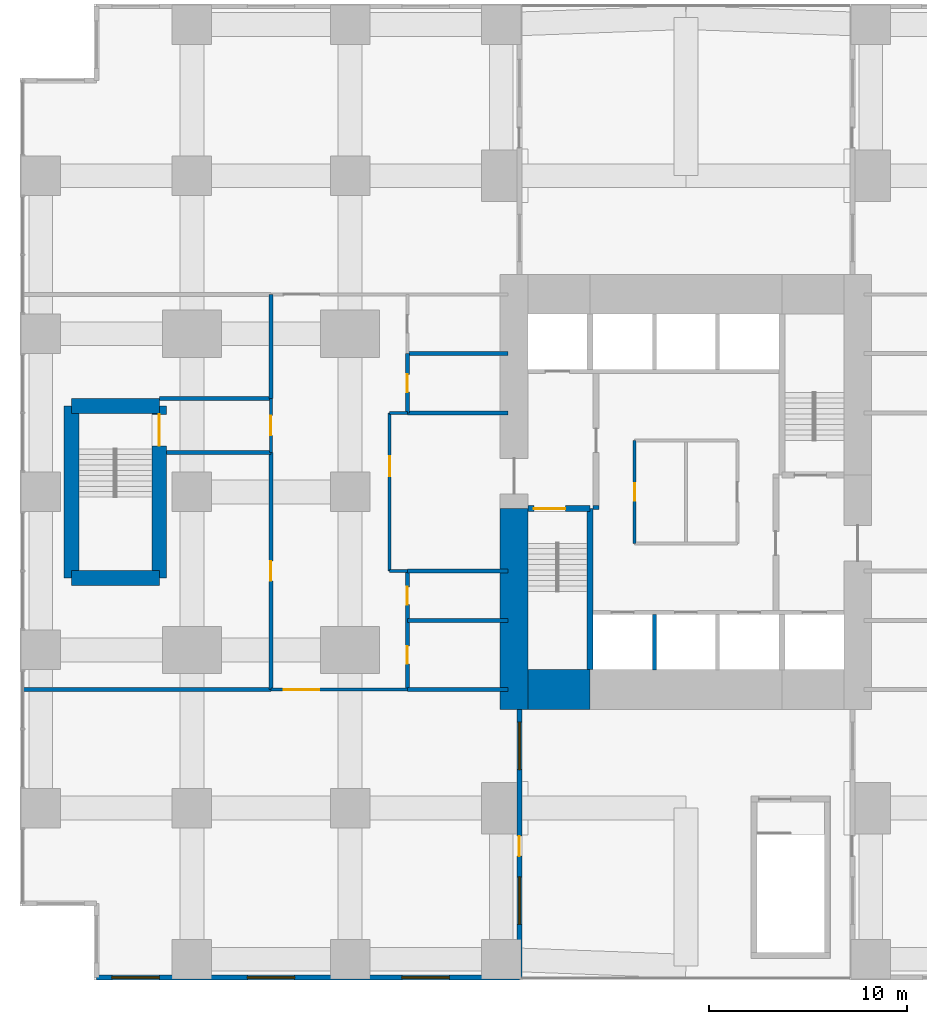
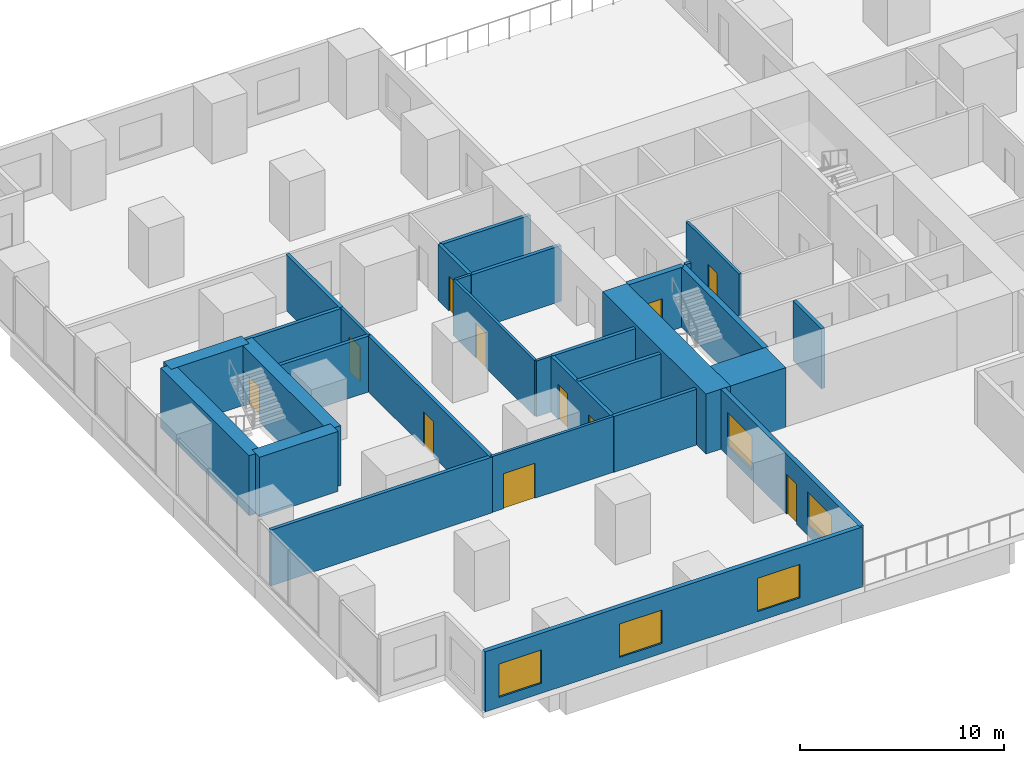
# One storey, part 10 of 15: 30 walls, 11 doors, 5 windows, 16 openings.
"""IFC4 building model written with IfcOpenShell, lengths in metres."""

from ifc_helpers import new_model, si_unit, direction, frame, frame_2d, origin, place, context, subcontext, project, spatial, rectangle, extrude, material, layer, layer_set, type_object, element, fill, save


model = new_model("IFC4")

# Units and contexts
model_context = context("Model", 3, precision=1e-05, world=origin(), true_north=direction((0.0, 1.0)))
body_context = subcontext(model_context, "Body", "Model", "MODEL_VIEW")
ifc_project = project(units=[si_unit("LENGTHUNIT", "METRE"), si_unit("AREAUNIT", "SQUARE_METRE"), si_unit("VOLUMEUNIT", "CUBIC_METRE"), si_unit("PLANEANGLEUNIT", "RADIAN"), si_unit("MASSUNIT", "GRAM", prefix="KILO")], contexts=[model_context])

# Site, building, storey
site_placement = place(None, origin())
site = spatial("IfcSite", under=ifc_project, at=site_placement, CompositionType="ELEMENT")
building_placement = place(site_placement, origin())
building = spatial("IfcBuilding", under=site, at=building_placement, Name="Cleftline Residences", CompositionType="ELEMENT")
storey_placement = place(building_placement, frame((0.0, 0.0, 26.0)))
storey = spatial("IfcBuildingStorey", under=building, at=storey_placement, Name="L05", CompositionType="ELEMENT", Elevation=26.0)

# Walls
ifc_material_1 = material(Name="Concrete B70", Category="concrete")
ifc_layer_1 = layer(ifc_material_1, 1.39990234375)
ifc_layer_set_1 = layer_set([ifc_layer_1], Name="CORE WALL 1400")
wall_type_1 = type_object("IfcWallType", Name="CORE WALL 1400", PredefinedType="SHEAR", material=ifc_layer_set_1)
wall_1_placement = place(storey_placement, frame((24.300048828125, 13.0, 0.0), z_axis=(0.0, 0.0, 1.0), x_axis=(0.0, 1.0, 0.0)))
element("IfcWall", 1, at=wall_1_placement, inside=storey, type_object=wall_type_1, Name="Core wall W0", PredefinedType="SHEAR", context=body_context, shape_type="SweptSolid", body=[
    extrude(rectangle(XDim=10.14990234375, YDim=1.39990234375, at=frame_2d((5.074951171875, 0.0))), origin(), (0.0, 0.0, 1.0), 3.60009765625),
])
ifc_material_2 = material(Name="Concrete B70", Category="concrete")
ifc_layer_2 = layer(ifc_material_2, 2.0)
ifc_layer_set_2 = layer_set([ifc_layer_2], Name="CORE WALL 2000")
wall_type_2 = type_object("IfcWallType", Name="CORE WALL 2000", PredefinedType="SHEAR", material=ifc_layer_set_2)
wall_2_placement = place(storey_placement, frame((25.0, 14.0, 0.0), z_axis=(0.0, 0.0, 1.0), x_axis=(1.0, 0.0, 0.0)))
element("IfcWall", 2, at=wall_2_placement, inside=storey, type_object=wall_type_2, Name="Core wall S1", PredefinedType="SHEAR", context=body_context, shape_type="SweptSolid", body=[
    extrude(rectangle(XDim=3.14990234375, YDim=2.0, at=frame_2d((1.574951171875, 0.0))), origin(), (0.0, 0.0, 1.0), 3.60009765625),
])
ifc_material_3 = material(Name="Concrete B70", Category="concrete")
ifc_layer_3 = layer(ifc_material_3, 0.300048828125)
ifc_layer_set_3 = layer_set([ifc_layer_3], Name="CORE WALL 300")
wall_type_3 = type_object("IfcWallType", Name="CORE WALL 300", PredefinedType="SHEAR", material=ifc_layer_set_3)
wall_3_placement = place(storey_placement, frame((28.14990234375, 15.0, 0.0), z_axis=(0.0, 0.0, 1.0), x_axis=(0.0, 1.0, 0.0)))
element("IfcWall", 3, at=wall_3_placement, inside=storey, type_object=wall_type_3, Name="Core wall SA-E", PredefinedType="SHEAR", context=body_context, shape_type="SweptSolid", body=[
    extrude(rectangle(XDim=8.14990234375, YDim=0.300048828125, at=frame_2d((4.074951171875, 0.0))), origin(), (0.0, 0.0, 1.0), 3.60009765625),
])

# Wall, opening, door
wall_4_placement = place(storey_placement, frame((25.0, 23.14990234375, 0.0), z_axis=(0.0, 0.0, 1.0), x_axis=(1.0, 0.0, 0.0)))
wall_4 = element("IfcWall", 4, at=wall_4_placement, inside=storey, type_object=wall_type_3, Name="Core wall SA-N", PredefinedType="SHEAR", context=body_context, shape_type="SweptSolid", body=[
    extrude(rectangle(XDim=3.14990234375, YDim=0.300048828125, at=frame_2d((1.574951171875, 0.0))), origin(), (0.0, 0.0, 1.0), 3.60009765625),
])
opening_1_placement = place(wall_4_placement, frame((0.300048828125, 0.0, 0.0)))
opening_1 = element("IfcOpeningElement", 5, at=opening_1_placement, cuts=wall_4, Name="Opening D9", PredefinedType="OPENING", context=body_context, shape_type="SweptSolid", body=[
    extrude(rectangle(XDim=1.60009765625, YDim=2.10009765625, at=frame_2d((0.800048828125, 1.050048828125))), frame((0.0, 0.159912109375, 0.0), z_axis=(0.0, -1.0, 0.0), x_axis=(1.0, 0.0, 0.0)), (0.0, 0.0, 1.0), 0.320068359375),
])
ifc_material_4 = material(Name="Steel", Category="steel")
door_type_1 = type_object("IfcDoorType", Name="STAIR DOOR 1600X2100", OperationType="DOUBLE_DOOR_SINGLE_SWING", PredefinedType="DOOR", material=ifc_material_4)
door_1_placement = place(opening_1_placement, origin())
door_1 = element("IfcDoor", 6, at=door_1_placement, inside=storey, type_object=door_type_1, Name="Stair A door", OperationType="DOUBLE_DOOR_SINGLE_SWING", OverallHeight=2.10009765625, OverallWidth=1.60009765625, PredefinedType="DOOR", context=body_context, shape_type="SweptSolid", body=[
    extrude(rectangle(XDim=1.60009765625, YDim=2.10009765625, at=frame_2d((0.800048828125, 1.050048828125))), frame((0.0, 0.02490234375, 0.0), z_axis=(0.0, -1.0, 0.0), x_axis=(1.0, 0.0, 0.0)), (0.0, 0.0, 1.0), 0.050048828125),
])
fill(opening_1, door_1)

# Wall, openings, door, windows
ifc_material_5 = material(Name="Rendered reinforced concrete blockwork", Category="masonry")
ifc_layer_4 = layer(ifc_material_5, 0.25)
ifc_layer_set_4 = layer_set([ifc_layer_4], Name="EXTERNAL WALL 250")
wall_type_4 = type_object("IfcWallType", Name="EXTERNAL WALL 250", PredefinedType="SOLIDWALL", material=ifc_layer_set_4)
wall_5_placement = place(storey_placement, frame((24.574951171875, -0.574951171875, 0.0), z_axis=(0.0, 0.0, 1.0), x_axis=(0.0, 1.0, 0.0)))
wall_5 = element("IfcWall", 7, at=wall_5_placement, inside=storey, type_object=wall_type_4, Name="External wall", PredefinedType="SOLIDWALL", context=body_context, shape_type="SweptSolid", body=[
    extrude(rectangle(XDim=13.574951171875, YDim=0.25, at=frame_2d((6.78759765625, 0.0))), origin(), (0.0, 0.0, 1.0), 3.60009765625),
])
opening_2_placement = place(wall_5_placement, frame((6.14990234375, 0.0, 0.0)))
opening_2 = element("IfcOpeningElement", 8, at=opening_2_placement, cuts=wall_5, Name="Opening DT1", PredefinedType="OPENING", context=body_context, shape_type="SweptSolid", body=[
    extrude(rectangle(XDim=1.0, YDim=2.39990234375, at=frame_2d((0.5, 1.199951171875))), frame((0.0, 0.135009765625, 0.0), z_axis=(0.0, -1.0, 0.0), x_axis=(1.0, 0.0, 0.0)), (0.0, 0.0, 1.0), 0.27001953125),
])
opening_3_placement = place(wall_5_placement, frame((2.6875, 0.0, 0.60009765625)))
opening_3 = element("IfcOpeningElement", 9, at=opening_3_placement, cuts=wall_5, Name="Opening W6", PredefinedType="OPENING", context=body_context, shape_type="SweptSolid", body=[
    extrude(rectangle(XDim=2.39990234375, YDim=2.0, at=frame_2d((1.199951171875, 1.0))), frame((0.0, 0.135009765625, 0.0), z_axis=(0.0, -1.0, 0.0), x_axis=(1.0, 0.0, 0.0)), (0.0, 0.0, 1.0), 0.27001953125),
])
opening_4_placement = place(wall_5_placement, frame((10.52490234375, 0.0, 0.60009765625)))
opening_4 = element("IfcOpeningElement", 10, at=opening_4_placement, cuts=wall_5, Name="Opening W6", PredefinedType="OPENING", context=body_context, shape_type="SweptSolid", body=[
    extrude(rectangle(XDim=2.39990234375, YDim=2.0, at=frame_2d((1.199951171875, 1.0))), frame((0.0, 0.135009765625, 0.0), z_axis=(0.0, -1.0, 0.0), x_axis=(1.0, 0.0, 0.0)), (0.0, 0.0, 1.0), 0.27001953125),
])
ifc_material_6 = material(Name="Aluminium and laminated glass", Category="aluminium")
door_type_2 = type_object("IfcDoorType", Name="TERRACE DOOR 1000X2400", OperationType="SINGLE_SWING_LEFT", PredefinedType="DOOR", material=ifc_material_6)
door_2_placement = place(opening_2_placement, origin())
door_2 = element("IfcDoor", 11, at=door_2_placement, inside=storey, type_object=door_type_2, Name="Terrace door", OperationType="SINGLE_SWING_RIGHT", OverallHeight=2.39990234375, OverallWidth=1.0, PredefinedType="DOOR", context=body_context, shape_type="SweptSolid", body=[
    extrude(rectangle(XDim=1.0, YDim=2.39990234375, at=frame_2d((0.5, 1.199951171875))), frame((0.0, 0.02490234375, 0.0), z_axis=(0.0, -1.0, 0.0), x_axis=(1.0, 0.0, 0.0)), (0.0, 0.0, 1.0), 0.050048828125),
])
fill(opening_2, door_2)
ifc_material_7 = material(Name="Aluminium frame, clear double glazing", Category="aluminium")
window_type = type_object("IfcWindowType", Name="WINDOW 2400X2000", PartitioningType="DOUBLE_PANEL_VERTICAL", PredefinedType="WINDOW", material=ifc_material_7)
window_1_placement = place(opening_3_placement, origin())
window_1 = element("IfcWindow", 12, at=window_1_placement, inside=storey, type_object=window_type, Name="Window", OverallHeight=2.0, OverallWidth=2.39990234375, PartitioningType="SINGLE_PANEL", PredefinedType="WINDOW", context=body_context, shape_type="SweptSolid", body=[
    extrude(rectangle(XDim=2.39990234375, YDim=2.0, at=frame_2d((1.199951171875, 1.0))), frame((0.0, 0.030029296875, 0.0), z_axis=(0.0, -1.0, 0.0), x_axis=(1.0, 0.0, 0.0)), (0.0, 0.0, 1.0), 0.06005859375),
])
fill(opening_3, window_1)
window_2_placement = place(opening_4_placement, origin())
window_2 = element("IfcWindow", 13, at=window_2_placement, inside=storey, type_object=window_type, Name="Window", OverallHeight=2.0, OverallWidth=2.39990234375, PartitioningType="SINGLE_PANEL", PredefinedType="WINDOW", context=body_context, shape_type="SweptSolid", body=[
    extrude(rectangle(XDim=2.39990234375, YDim=2.0, at=frame_2d((1.199951171875, 1.0))), frame((0.0, 0.030029296875, 0.0), z_axis=(0.0, -1.0, 0.0), x_axis=(1.0, 0.0, 0.0)), (0.0, 0.0, 1.0), 0.06005859375),
])
fill(opening_4, window_2)

# Wall, openings, windows
wall_6_placement = place(storey_placement, frame((3.175048828125, -0.574951171875, 0.0), z_axis=(0.0, 0.0, 1.0), x_axis=(1.0, 0.0, 0.0)))
wall_6 = element("IfcWall", 14, at=wall_6_placement, inside=storey, type_object=wall_type_4, Name="External wall", PredefinedType="SOLIDWALL", context=body_context, shape_type="SweptSolid", body=[
    extrude(rectangle(XDim=21.39990234375, YDim=0.25, at=frame_2d((10.699951171875, 0.0))), origin(), (0.0, 0.0, 1.0), 3.60009765625),
])
opening_5_placement = place(wall_6_placement, frame((0.77490234375, 0.0, 0.60009765625)))
opening_5 = element("IfcOpeningElement", 15, at=opening_5_placement, cuts=wall_6, Name="Opening W6", PredefinedType="OPENING", context=body_context, shape_type="SweptSolid", body=[
    extrude(rectangle(XDim=2.39990234375, YDim=2.0, at=frame_2d((1.199951171875, 1.0))), frame((0.0, 0.135009765625, 0.0), z_axis=(0.0, -1.0, 0.0), x_axis=(1.0, 0.0, 0.0)), (0.0, 0.0, 1.0), 0.27001953125),
])
opening_6_placement = place(wall_6_placement, frame((7.625, 0.0, 0.60009765625)))
opening_6 = element("IfcOpeningElement", 16, at=opening_6_placement, cuts=wall_6, Name="Opening W6", PredefinedType="OPENING", context=body_context, shape_type="SweptSolid", body=[
    extrude(rectangle(XDim=2.39990234375, YDim=2.0, at=frame_2d((1.199951171875, 1.0))), frame((0.0, 0.135009765625, 0.0), z_axis=(0.0, -1.0, 0.0), x_axis=(1.0, 0.0, 0.0)), (0.0, 0.0, 1.0), 0.27001953125),
])
opening_7_placement = place(wall_6_placement, frame((15.449951171875, 0.0, 0.60009765625)))
opening_7 = element("IfcOpeningElement", 17, at=opening_7_placement, cuts=wall_6, Name="Opening W6", PredefinedType="OPENING", context=body_context, shape_type="SweptSolid", body=[
    extrude(rectangle(XDim=2.39990234375, YDim=2.0, at=frame_2d((1.199951171875, 1.0))), frame((0.0, 0.135009765625, 0.0), z_axis=(0.0, -1.0, 0.0), x_axis=(1.0, 0.0, 0.0)), (0.0, 0.0, 1.0), 0.27001953125),
])
window_3_placement = place(opening_5_placement, origin())
window_3 = element("IfcWindow", 18, at=window_3_placement, inside=storey, type_object=window_type, Name="Window", OverallHeight=2.0, OverallWidth=2.39990234375, PartitioningType="SINGLE_PANEL", PredefinedType="WINDOW", context=body_context, shape_type="SweptSolid", body=[
    extrude(rectangle(XDim=2.39990234375, YDim=2.0, at=frame_2d((1.199951171875, 1.0))), frame((0.0, 0.030029296875, 0.0), z_axis=(0.0, -1.0, 0.0), x_axis=(1.0, 0.0, 0.0)), (0.0, 0.0, 1.0), 0.06005859375),
])
fill(opening_5, window_3)
window_4_placement = place(opening_6_placement, origin())
window_4 = element("IfcWindow", 19, at=window_4_placement, inside=storey, type_object=window_type, Name="Window", OverallHeight=2.0, OverallWidth=2.39990234375, PartitioningType="SINGLE_PANEL", PredefinedType="WINDOW", context=body_context, shape_type="SweptSolid", body=[
    extrude(rectangle(XDim=2.39990234375, YDim=2.0, at=frame_2d((1.199951171875, 1.0))), frame((0.0, 0.030029296875, 0.0), z_axis=(0.0, -1.0, 0.0), x_axis=(1.0, 0.0, 0.0)), (0.0, 0.0, 1.0), 0.06005859375),
])
fill(opening_6, window_4)
window_5_placement = place(opening_7_placement, origin())
window_5 = element("IfcWindow", 20, at=window_5_placement, inside=storey, type_object=window_type, Name="Window", OverallHeight=2.0, OverallWidth=2.39990234375, PartitioningType="SINGLE_PANEL", PredefinedType="WINDOW", context=body_context, shape_type="SweptSolid", body=[
    extrude(rectangle(XDim=2.39990234375, YDim=2.0, at=frame_2d((1.199951171875, 1.0))), frame((0.0, 0.030029296875, 0.0), z_axis=(0.0, -1.0, 0.0), x_axis=(1.0, 0.0, 0.0)), (0.0, 0.0, 1.0), 0.06005859375),
])
fill(opening_7, window_5)

# Walls
ifc_material_8 = material(Name="Concrete blockwork, fire rated", Category="masonry")
ifc_layer_5 = layer(ifc_material_8, 0.199951171875)
ifc_layer_set_5 = layer_set([ifc_layer_5], Name="FIRE WALL 200")
wall_type_5 = type_object("IfcWallType", Name="FIRE WALL 200", PredefinedType="PARTITIONING", material=ifc_layer_set_5)
wall_7_placement = place(storey_placement, frame((-0.56103515625, 14.0, 0.0), z_axis=(0.0, 0.0, 1.0), x_axis=(1.0, 0.0, 0.0)))
element("IfcWall", 21, at=wall_7_placement, inside=storey, type_object=wall_type_5, Name="Fire separating wall", PredefinedType="PARTITIONING", context=body_context, shape_type="SweptSolid", body=[
    extrude(rectangle(XDim=12.56103515625, YDim=0.199951171875, at=frame_2d((6.280517578125, 0.0))), origin(), (0.0, 0.0, 1.0), 3.35009765625),
])
for number, where, z_axis, x_axis, name in (
    (22, (18.89990234375, 14.0, 0.0), (0.0, 0.0, 1.0), (1.0, 0.0, 0.0), "Fire separating wall"),
    (23, (18.89990234375, 17.5, 0.0), (0.0, 0.0, 1.0), (1.0, 0.0, 0.0), "Fire separating wall"),
    (24, (18.89990234375, 20.0, 0.0), (0.0, 0.0, 1.0), (1.0, 0.0, 0.0), "Fire separating wall"),
):
    element("IfcWall", number, at=place(storey_placement, frame(where, z_axis=z_axis, x_axis=x_axis)), inside=storey, type_object=wall_type_5, Name=name, PredefinedType="PARTITIONING", context=body_context, shape_type="SweptSolid", body=[
        extrude(rectangle(XDim=5.10009765625, YDim=0.199951171875, at=frame_2d((2.550048828125, 0.0))), origin(), (0.0, 0.0, 1.0), 3.35009765625),
    ])
wall_8_placement = place(storey_placement, frame((6.72509765625, 26.0, 0.0), z_axis=(0.0, 0.0, 1.0), x_axis=(1.0, 0.0, 0.0)))
element("IfcWall", 25, at=wall_8_placement, inside=storey, type_object=wall_type_5, Name="Fire separating wall", PredefinedType="PARTITIONING", context=body_context, shape_type="SweptSolid", body=[
    extrude(rectangle(XDim=5.27490234375, YDim=0.199951171875, at=frame_2d((2.637451171875, 0.0))), origin(), (0.0, 0.0, 1.0), 3.35009765625),
])
wall_9_placement = place(storey_placement, frame((18.89990234375, 28.0, 0.0), z_axis=(0.0, 0.0, 1.0), x_axis=(1.0, 0.0, 0.0)))
element("IfcWall", 26, at=wall_9_placement, inside=storey, type_object=wall_type_5, Name="Fire separating wall", PredefinedType="PARTITIONING", context=body_context, shape_type="SweptSolid", body=[
    extrude(rectangle(XDim=5.10009765625, YDim=0.199951171875, at=frame_2d((2.550048828125, 0.0))), origin(), (0.0, 0.0, 1.0), 3.35009765625),
])
wall_10_placement = place(storey_placement, frame((6.35009765625, 28.72509765625, 0.0), z_axis=(0.0, 0.0, 1.0), x_axis=(1.0, 0.0, 0.0)))
element("IfcWall", 27, at=wall_10_placement, inside=storey, type_object=wall_type_5, Name="Fire separating wall", PredefinedType="PARTITIONING", context=body_context, shape_type="SweptSolid", body=[
    extrude(rectangle(XDim=5.64990234375, YDim=0.199951171875, at=frame_2d((2.824951171875, 0.0))), origin(), (0.0, 0.0, 1.0), 3.35009765625),
])
wall_11_placement = place(storey_placement, frame((18.89990234375, 31.0, 0.0), z_axis=(0.0, 0.0, 1.0), x_axis=(1.0, 0.0, 0.0)))
element("IfcWall", 28, at=wall_11_placement, inside=storey, type_object=wall_type_5, Name="Fire separating wall", PredefinedType="PARTITIONING", context=body_context, shape_type="SweptSolid", body=[
    extrude(rectangle(XDim=5.10009765625, YDim=0.199951171875, at=frame_2d((2.550048828125, 0.0))), origin(), (0.0, 0.0, 1.0), 3.35009765625),
])

# Wall, opening, door
wall_12_placement = place(storey_placement, frame((12.0, 14.0, 0.0), z_axis=(0.0, 0.0, 1.0), x_axis=(0.0, 1.0, 0.0)))
wall_12 = element("IfcWall", 29, at=wall_12_placement, inside=storey, type_object=wall_type_5, Name="Fire separating wall", PredefinedType="PARTITIONING", context=body_context, shape_type="SweptSolid", body=[
    extrude(rectangle(XDim=12.0, YDim=0.199951171875, at=frame_2d((6.0, 0.0))), origin(), (0.0, 0.0, 1.0), 3.35009765625),
])
opening_8_placement = place(wall_12_placement, frame((5.5, 0.0, 0.0)))
opening_8 = element("IfcOpeningElement", 30, at=opening_8_placement, cuts=wall_12, Name="Opening D2F60", PredefinedType="OPENING", context=body_context, shape_type="SweptSolid", body=[
    extrude(rectangle(XDim=1.0, YDim=2.10009765625, at=frame_2d((0.5, 1.050048828125))), frame((0.0, 0.10986328125, 0.0), z_axis=(0.0, -1.0, 0.0), x_axis=(1.0, 0.0, 0.0)), (0.0, 0.0, 1.0), 0.219970703125),
])
ifc_material_9 = material(Name="Timber veneer on solid core", Category="wood")
door_type_3 = type_object("IfcDoorType", Name="DOOR 1000X2100 EI 60", OperationType="SINGLE_SWING_LEFT", PredefinedType="DOOR", material=ifc_material_9)
door_3_placement = place(opening_8_placement, origin())
door_3 = element("IfcDoor", 31, at=door_3_placement, inside=storey, type_object=door_type_3, Name="Door to pool plant room", OperationType="SINGLE_SWING_LEFT", OverallHeight=2.10009765625, OverallWidth=1.0, PredefinedType="DOOR", context=body_context, shape_type="SweptSolid", body=[
    extrude(rectangle(XDim=1.0, YDim=2.10009765625, at=frame_2d((0.5, 1.050048828125))), frame((0.0, 0.02490234375, 0.0), z_axis=(0.0, -1.0, 0.0), x_axis=(1.0, 0.0, 0.0)), (0.0, 0.0, 1.0), 0.050048828125),
])
fill(opening_8, door_3)

# Wall
wall_13_placement = place(storey_placement, frame((12.0, 28.72509765625, 0.0), z_axis=(0.0, 0.0, 1.0), x_axis=(0.0, 1.0, 0.0)))
element("IfcWall", 32, at=wall_13_placement, inside=storey, type_object=wall_type_5, Name="Fire separating wall", PredefinedType="PARTITIONING", context=body_context, shape_type="SweptSolid", body=[
    extrude(rectangle(XDim=5.27490234375, YDim=0.199951171875, at=frame_2d((2.637451171875, 0.0))), origin(), (0.0, 0.0, 1.0), 3.35009765625),
])

# Wall, openings, doors
wall_14_placement = place(storey_placement, frame((18.89990234375, 14.0, 0.0), z_axis=(0.0, 0.0, 1.0), x_axis=(0.0, 1.0, 0.0)))
wall_14 = element("IfcWall", 33, at=wall_14_placement, inside=storey, type_object=wall_type_5, Name="Fire separating wall", PredefinedType="PARTITIONING", context=body_context, shape_type="SweptSolid", body=[
    extrude(rectangle(XDim=6.0, YDim=0.199951171875, at=frame_2d((3.0, 0.0))), origin(), (0.0, 0.0, 1.0), 3.35009765625),
])
opening_9_placement = place(wall_14_placement, frame((1.300048828125, 0.0, 0.0)))
opening_9 = element("IfcOpeningElement", 34, at=opening_9_placement, cuts=wall_14, Name="Opening D1F30", PredefinedType="OPENING", context=body_context, shape_type="SweptSolid", body=[
    extrude(rectangle(XDim=0.89990234375, YDim=2.10009765625, at=frame_2d((0.449951171875, 1.050048828125))), frame((0.0, 0.10986328125, 0.0), z_axis=(0.0, -1.0, 0.0), x_axis=(1.0, 0.0, 0.0)), (0.0, 0.0, 1.0), 0.219970703125),
])
opening_10_placement = place(wall_14_placement, frame((4.300048828125, 0.0, 0.0)))
opening_10 = element("IfcOpeningElement", 35, at=opening_10_placement, cuts=wall_14, Name="Opening D1F30", PredefinedType="OPENING", context=body_context, shape_type="SweptSolid", body=[
    extrude(rectangle(XDim=0.89990234375, YDim=2.10009765625, at=frame_2d((0.449951171875, 1.050048828125))), frame((0.0, 0.10986328125, 0.0), z_axis=(0.0, -1.0, 0.0), x_axis=(1.0, 0.0, 0.0)), (0.0, 0.0, 1.0), 0.219970703125),
])
ifc_material_10 = material(Name="Timber veneer on solid core", Category="wood")
door_type_4 = type_object("IfcDoorType", Name="DOOR 900X2100 EI 30", OperationType="SINGLE_SWING_LEFT", PredefinedType="DOOR", material=ifc_material_10)
door_4_placement = place(opening_9_placement, origin())
door_4 = element("IfcDoor", 36, at=door_4_placement, inside=storey, type_object=door_type_4, Name="Door to male wc", OperationType="SINGLE_SWING_RIGHT", OverallHeight=2.10009765625, OverallWidth=0.89990234375, PredefinedType="DOOR", context=body_context, shape_type="SweptSolid", body=[
    extrude(rectangle(XDim=0.89990234375, YDim=2.10009765625, at=frame_2d((0.449951171875, 1.050048828125))), frame((0.0, 0.02490234375, 0.0), z_axis=(0.0, -1.0, 0.0), x_axis=(1.0, 0.0, 0.0)), (0.0, 0.0, 1.0), 0.050048828125),
])
fill(opening_9, door_4)
door_5_placement = place(opening_10_placement, origin())
door_5 = element("IfcDoor", 37, at=door_5_placement, inside=storey, type_object=door_type_4, Name="Door to female wc", OperationType="SINGLE_SWING_LEFT", OverallHeight=2.10009765625, OverallWidth=0.89990234375, PredefinedType="DOOR", context=body_context, shape_type="SweptSolid", body=[
    extrude(rectangle(XDim=0.89990234375, YDim=2.10009765625, at=frame_2d((0.449951171875, 1.050048828125))), frame((0.0, 0.02490234375, 0.0), z_axis=(0.0, -1.0, 0.0), x_axis=(1.0, 0.0, 0.0)), (0.0, 0.0, 1.0), 0.050048828125),
])
fill(opening_10, door_5)

# Wall, opening, door
wall_15_placement = place(storey_placement, frame((18.89990234375, 28.0, 0.0), z_axis=(0.0, 0.0, 1.0), x_axis=(0.0, 1.0, 0.0)))
wall_15 = element("IfcWall", 38, at=wall_15_placement, inside=storey, type_object=wall_type_5, Name="Fire separating wall", PredefinedType="PARTITIONING", context=body_context, shape_type="SweptSolid", body=[
    extrude(rectangle(XDim=3.0, YDim=0.199951171875, at=frame_2d((1.5, 0.0))), origin(), (0.0, 0.0, 1.0), 3.35009765625),
])
opening_11_placement = place(wall_15_placement, frame((1.050048828125, 0.0, 0.0)))
opening_11 = element("IfcOpeningElement", 39, at=opening_11_placement, cuts=wall_15, Name="Opening D1F30", PredefinedType="OPENING", context=body_context, shape_type="SweptSolid", body=[
    extrude(rectangle(XDim=0.89990234375, YDim=2.10009765625, at=frame_2d((0.449951171875, 1.050048828125))), frame((0.0, 0.10986328125, 0.0), z_axis=(0.0, -1.0, 0.0), x_axis=(1.0, 0.0, 0.0)), (0.0, 0.0, 1.0), 0.219970703125),
])
door_6_placement = place(opening_11_placement, origin())
door_6 = element("IfcDoor", 40, at=door_6_placement, inside=storey, type_object=door_type_4, Name="Door to accessible wc", OperationType="SINGLE_SWING_LEFT", OverallHeight=2.10009765625, OverallWidth=0.89990234375, PredefinedType="DOOR", context=body_context, shape_type="SweptSolid", body=[
    extrude(rectangle(XDim=0.89990234375, YDim=2.10009765625, at=frame_2d((0.449951171875, 1.050048828125))), frame((0.0, 0.02490234375, 0.0), z_axis=(0.0, -1.0, 0.0), x_axis=(1.0, 0.0, 0.0)), (0.0, 0.0, 1.0), 0.050048828125),
])
fill(opening_11, door_6)

# Wall
wall_16_placement = place(storey_placement, frame((28.300048828125, 23.199951171875, 0.0), z_axis=(0.0, 0.0, 1.0), x_axis=(1.0, 0.0, 0.0)))
element("IfcWall", 41, at=wall_16_placement, inside=storey, type_object=wall_type_5, Name="Fire separating wall", PredefinedType="PARTITIONING", context=body_context, shape_type="SweptSolid", body=[
    extrude(rectangle(XDim=0.300048828125, YDim=0.199951171875, at=frame_2d((0.14990234375, 0.0))), origin(), (0.0, 0.0, 1.0), 3.60009765625),
])

# Wall, opening, door
ifc_material_11 = material(Name="Gypsum board on steel studs", Category="steel")
ifc_layer_6 = layer(ifc_material_11, 0.14990234375)
ifc_layer_set_6 = layer_set([ifc_layer_6], Name="PARTITION 150")
wall_type_6 = type_object("IfcWallType", Name="PARTITION 150", PredefinedType="PARTITIONING", material=ifc_layer_set_6)
wall_17_placement = place(storey_placement, frame((12.0, 14.0, 0.0), z_axis=(0.0, 0.0, 1.0), x_axis=(1.0, 0.0, 0.0)))
wall_17 = element("IfcWall", 42, at=wall_17_placement, inside=storey, type_object=wall_type_6, Name="Partition", PredefinedType="PARTITIONING", context=body_context, shape_type="SweptSolid", body=[
    extrude(rectangle(XDim=6.89990234375, YDim=0.14990234375, at=frame_2d((3.449951171875, 0.0))), origin(), (0.0, 0.0, 1.0), 3.35009765625),
])
opening_12_placement = place(wall_17_placement, frame((0.64990234375, 0.0, 0.0)))
opening_12 = element("IfcOpeningElement", 43, at=opening_12_placement, cuts=wall_17, Name="Opening D3", PredefinedType="OPENING", context=body_context, shape_type="SweptSolid", body=[
    extrude(rectangle(XDim=1.800048828125, YDim=2.10009765625, at=frame_2d((0.89990234375, 1.050048828125))), frame((0.0, 0.0849609375, 0.0), z_axis=(0.0, -1.0, 0.0), x_axis=(1.0, 0.0, 0.0)), (0.0, 0.0, 1.0), 0.169921875),
])
ifc_material_12 = material(Name="Timber veneer on solid core", Category="wood")
door_type_5 = type_object("IfcDoorType", Name="DOUBLE DOOR 1800X2100", OperationType="DOUBLE_DOOR_DOUBLE_SWING", PredefinedType="DOOR", material=ifc_material_12)
door_7_placement = place(opening_12_placement, origin())
door_7 = element("IfcDoor", 44, at=door_7_placement, inside=storey, type_object=door_type_5, Name="Door to residents' lounge", OperationType="DOUBLE_DOOR_DOUBLE_SWING", OverallHeight=2.10009765625, OverallWidth=1.800048828125, PredefinedType="DOOR", context=body_context, shape_type="SweptSolid", body=[
    extrude(rectangle(XDim=1.800048828125, YDim=2.10009765625, at=frame_2d((0.89990234375, 1.050048828125))), frame((0.0, 0.02490234375, 0.0), z_axis=(0.0, -1.0, 0.0), x_axis=(1.0, 0.0, 0.0)), (0.0, 0.0, 1.0), 0.050048828125),
])
fill(opening_12, door_7)

# Walls
for number, where, z_axis, x_axis, name in (
    (45, (18.0, 20.0, 0.0), (0.0, 0.0, 1.0), (1.0, 0.0, 0.0), "Partition"),
    (46, (18.0, 28.0, 0.0), (0.0, 0.0, 1.0), (1.0, 0.0, 0.0), "Partition"),
):
    element("IfcWall", number, at=place(storey_placement, frame(where, z_axis=z_axis, x_axis=x_axis)), inside=storey, type_object=wall_type_6, Name=name, PredefinedType="PARTITIONING", context=body_context, shape_type="SweptSolid", body=[
        extrude(rectangle(XDim=0.89990234375, YDim=0.14990234375, at=frame_2d((0.449951171875, 0.0))), origin(), (0.0, 0.0, 1.0), 3.35009765625),
    ])

# Wall, opening, door
wall_18_placement = place(storey_placement, frame((12.0, 26.0, 0.0), z_axis=(0.0, 0.0, 1.0), x_axis=(0.0, 1.0, 0.0)))
wall_18 = element("IfcWall", 47, at=wall_18_placement, inside=storey, type_object=wall_type_6, Name="Partition", PredefinedType="PARTITIONING", context=body_context, shape_type="SweptSolid", body=[
    extrude(rectangle(XDim=2.72509765625, YDim=0.14990234375, at=frame_2d((1.362548828125, 0.0))), origin(), (0.0, 0.0, 1.0), 3.35009765625),
])
opening_13_placement = place(wall_18_placement, frame((0.862548828125, 0.0, 0.0)))
opening_13 = element("IfcOpeningElement", 48, at=opening_13_placement, cuts=wall_18, Name="Opening D2F30", PredefinedType="OPENING", context=body_context, shape_type="SweptSolid", body=[
    extrude(rectangle(XDim=1.0, YDim=2.10009765625, at=frame_2d((0.5, 1.050048828125))), frame((0.0, 0.0849609375, 0.0), z_axis=(0.0, -1.0, 0.0), x_axis=(1.0, 0.0, 0.0)), (0.0, 0.0, 1.0), 0.169921875),
])
ifc_material_13 = material(Name="Timber veneer on solid core", Category="wood")
door_type_6 = type_object("IfcDoorType", Name="DOOR 1000X2100 EI 30", OperationType="SINGLE_SWING_LEFT", PredefinedType="DOOR", material=ifc_material_13)
door_8_placement = place(opening_13_placement, origin())
door_8 = element("IfcDoor", 49, at=door_8_placement, inside=storey, type_object=door_type_6, Name="Door to stair lobby", OperationType="SINGLE_SWING_LEFT", OverallHeight=2.10009765625, OverallWidth=1.0, PredefinedType="DOOR", context=body_context, shape_type="SweptSolid", body=[
    extrude(rectangle(XDim=1.0, YDim=2.10009765625, at=frame_2d((0.5, 1.050048828125))), frame((0.0, 0.02490234375, 0.0), z_axis=(0.0, -1.0, 0.0), x_axis=(1.0, 0.0, 0.0)), (0.0, 0.0, 1.0), 0.050048828125),
])
fill(opening_13, door_8)

wall_19_placement = place(storey_placement, frame((18.0, 20.0, 0.0), z_axis=(0.0, 0.0, 1.0), x_axis=(0.0, 1.0, 0.0)))
wall_19 = element("IfcWall", 50, at=wall_19_placement, inside=storey, type_object=wall_type_6, Name="Partition", PredefinedType="PARTITIONING", context=body_context, shape_type="SweptSolid", body=[
    extrude(rectangle(XDim=8.0, YDim=0.14990234375, at=frame_2d((4.0, 0.0))), origin(), (0.0, 0.0, 1.0), 3.35009765625),
])
opening_14_placement = place(wall_19_placement, frame((4.800048828125, 0.0, 0.0)))
opening_14 = element("IfcOpeningElement", 51, at=opening_14_placement, cuts=wall_19, Name="Opening D2F30", PredefinedType="OPENING", context=body_context, shape_type="SweptSolid", body=[
    extrude(rectangle(XDim=1.0, YDim=2.10009765625, at=frame_2d((0.5, 1.050048828125))), frame((0.0, 0.0849609375, 0.0), z_axis=(0.0, -1.0, 0.0), x_axis=(1.0, 0.0, 0.0)), (0.0, 0.0, 1.0), 0.169921875),
])
door_9_placement = place(opening_14_placement, origin())
door_9 = element("IfcDoor", 52, at=door_9_placement, inside=storey, type_object=door_type_6, Name="Door to corridor", OperationType="SINGLE_SWING_LEFT", OverallHeight=2.10009765625, OverallWidth=1.0, PredefinedType="DOOR", context=body_context, shape_type="SweptSolid", body=[
    extrude(rectangle(XDim=1.0, YDim=2.10009765625, at=frame_2d((0.5, 1.050048828125))), frame((0.0, 0.02490234375, 0.0), z_axis=(0.0, -1.0, 0.0), x_axis=(1.0, 0.0, 0.0)), (0.0, 0.0, 1.0), 0.050048828125),
])
fill(opening_14, door_9)

ifc_material_14 = material(Name="Fire-resisting gypsum board on steel studs", Category="steel")
ifc_layer_7 = layer(ifc_material_14, 0.14990234375)
ifc_layer_set_7 = layer_set([ifc_layer_7], Name="PARTITION 150 EI 60")
wall_type_7 = type_object("IfcWallType", Name="PARTITION 150 EI 60", PredefinedType="PARTITIONING", material=ifc_layer_set_7)
wall_20_placement = place(storey_placement, frame((30.39990234375, 21.39990234375, 0.0), z_axis=(0.0, 0.0, 1.0), x_axis=(0.0, 1.0, 0.0)))
wall_20 = element("IfcWall", 53, at=wall_20_placement, inside=storey, type_object=wall_type_7, Name="Core room partition", PredefinedType="PARTITIONING", context=body_context, shape_type="SweptSolid", body=[
    extrude(rectangle(XDim=5.2001953125, YDim=0.14990234375, at=frame_2d((2.60009765625, 0.0))), origin(), (0.0, 0.0, 1.0), 3.35009765625),
])
opening_15_placement = place(wall_20_placement, frame((2.14990234375, 0.0, 0.0)))
opening_15 = element("IfcOpeningElement", 54, at=opening_15_placement, cuts=wall_20, Name="Opening D1F30", PredefinedType="OPENING", context=body_context, shape_type="SweptSolid", body=[
    extrude(rectangle(XDim=0.89990234375, YDim=2.10009765625, at=frame_2d((0.449951171875, 1.050048828125))), frame((0.0, 0.0849609375, 0.0), z_axis=(0.0, -1.0, 0.0), x_axis=(1.0, 0.0, 0.0)), (0.0, 0.0, 1.0), 0.169921875),
])
door_10_placement = place(opening_15_placement, origin())
door_10 = element("IfcDoor", 55, at=door_10_placement, inside=storey, type_object=door_type_4, Name="Door to guest pantry", OperationType="SINGLE_SWING_LEFT", OverallHeight=2.10009765625, OverallWidth=0.89990234375, PredefinedType="DOOR", context=body_context, shape_type="SweptSolid", body=[
    extrude(rectangle(XDim=0.89990234375, YDim=2.10009765625, at=frame_2d((0.449951171875, 1.050048828125))), frame((0.0, 0.02490234375, 0.0), z_axis=(0.0, -1.0, 0.0), x_axis=(1.0, 0.0, 0.0)), (0.0, 0.0, 1.0), 0.050048828125),
])
fill(opening_15, door_10)

# Walls
ifc_material_15 = material(Name="Concrete blockwork, fire rated", Category="masonry")
ifc_layer_8 = layer(ifc_material_15, 0.199951171875)
ifc_layer_set_8 = layer_set([ifc_layer_8], Name="SHAFT WALL 200")
wall_type_8 = type_object("IfcWallType", Name="SHAFT WALL 200", PredefinedType="PARTITIONING", material=ifc_layer_set_8)
wall_21_placement = place(storey_placement, frame((31.39990234375, 15.0, 0.0), z_axis=(0.0, 0.0, 1.0), x_axis=(0.0, 1.0, 0.0)))
element("IfcWall", 56, at=wall_21_placement, inside=storey, type_object=wall_type_8, Name="Lift shaft wall", PredefinedType="PARTITIONING", context=body_context, shape_type="SweptSolid", body=[
    extrude(rectangle(XDim=2.800048828125, YDim=0.199951171875, at=frame_2d((1.39990234375, 0.0))), origin(), (0.0, 0.0, 1.0), 3.60009765625),
])
ifc_material_16 = material(Name="Concrete B70", Category="concrete")
ifc_layer_9 = layer(ifc_material_16, 0.75)
ifc_layer_set_9 = layer_set([ifc_layer_9], Name="SHEAR WALL 750")
wall_type_9 = type_object("IfcWallType", Name="SHEAR WALL 750", PredefinedType="SHEAR", material=ifc_layer_set_9)
wall_22_placement = place(storey_placement, frame((1.89990234375, 19.64990234375, 0.0), z_axis=(0.0, 0.0, 1.0), x_axis=(1.0, 0.0, 0.0)))
element("IfcWall", 57, at=wall_22_placement, inside=storey, type_object=wall_type_9, Name="Wing shear wall", PredefinedType="SHEAR", context=body_context, shape_type="SweptSolid", body=[
    extrude(rectangle(XDim=4.4501953125, YDim=0.75, at=frame_2d((2.22509765625, 0.0))), origin(), (0.0, 0.0, 1.0), 3.60009765625),
])

# Wall, opening, door
wall_23_placement = place(storey_placement, frame((6.35009765625, 19.64990234375, 0.0), z_axis=(0.0, 0.0, 1.0), x_axis=(0.0, 1.0, 0.0)))
wall_23 = element("IfcWall", 58, at=wall_23_placement, inside=storey, type_object=wall_type_9, Name="Wing shear wall", PredefinedType="SHEAR", context=body_context, shape_type="SweptSolid", body=[
    extrude(rectangle(XDim=8.7001953125, YDim=0.75, at=frame_2d((4.35009765625, 0.0))), origin(), (0.0, 0.0, 1.0), 3.60009765625),
])
opening_16_placement = place(wall_23_placement, frame((6.675048828125, 0.0, 0.0)))
opening_16 = element("IfcOpeningElement", 59, at=opening_16_placement, cuts=wall_23, Name="Opening D9", PredefinedType="OPENING", context=body_context, shape_type="SweptSolid", body=[
    extrude(rectangle(XDim=1.60009765625, YDim=2.10009765625, at=frame_2d((0.800048828125, 1.050048828125))), frame((0.0, 0.385009765625, 0.0), z_axis=(0.0, -1.0, 0.0), x_axis=(1.0, 0.0, 0.0)), (0.0, 0.0, 1.0), 0.77001953125),
])
door_11_placement = place(opening_16_placement, origin())
door_11 = element("IfcDoor", 60, at=door_11_placement, inside=storey, type_object=door_type_1, Name="Stair W door", OperationType="DOUBLE_DOOR_SINGLE_SWING", OverallHeight=2.10009765625, OverallWidth=1.60009765625, PredefinedType="DOOR", context=body_context, shape_type="SweptSolid", body=[
    extrude(rectangle(XDim=1.60009765625, YDim=2.10009765625, at=frame_2d((0.800048828125, 1.050048828125))), frame((0.0, 0.02490234375, 0.0), z_axis=(0.0, -1.0, 0.0), x_axis=(1.0, 0.0, 0.0)), (0.0, 0.0, 1.0), 0.050048828125),
])
fill(opening_16, door_11)

# Walls
wall_24_placement = place(storey_placement, frame((6.35009765625, 28.35009765625, 0.0), z_axis=(0.0, 0.0, 1.0), x_axis=(-1.0, 0.0, 0.0)))
element("IfcWall", 61, at=wall_24_placement, inside=storey, type_object=wall_type_9, Name="Wing shear wall", PredefinedType="SHEAR", context=body_context, shape_type="SweptSolid", body=[
    extrude(rectangle(XDim=4.4501953125, YDim=0.75, at=frame_2d((2.22509765625, 0.0))), origin(), (0.0, 0.0, 1.0), 3.60009765625),
])
wall_25_placement = place(storey_placement, frame((1.89990234375, 28.35009765625, 0.0), z_axis=(0.0, 0.0, 1.0), x_axis=(0.0, -1.0, 0.0)))
element("IfcWall", 62, at=wall_25_placement, inside=storey, type_object=wall_type_9, Name="Wing shear wall", PredefinedType="SHEAR", context=body_context, shape_type="SweptSolid", body=[
    extrude(rectangle(XDim=8.7001953125, YDim=0.75, at=frame_2d((4.35009765625, 0.0))), origin(), (0.0, 0.0, 1.0), 3.60009765625),
])

save(model, "model.ifc")
